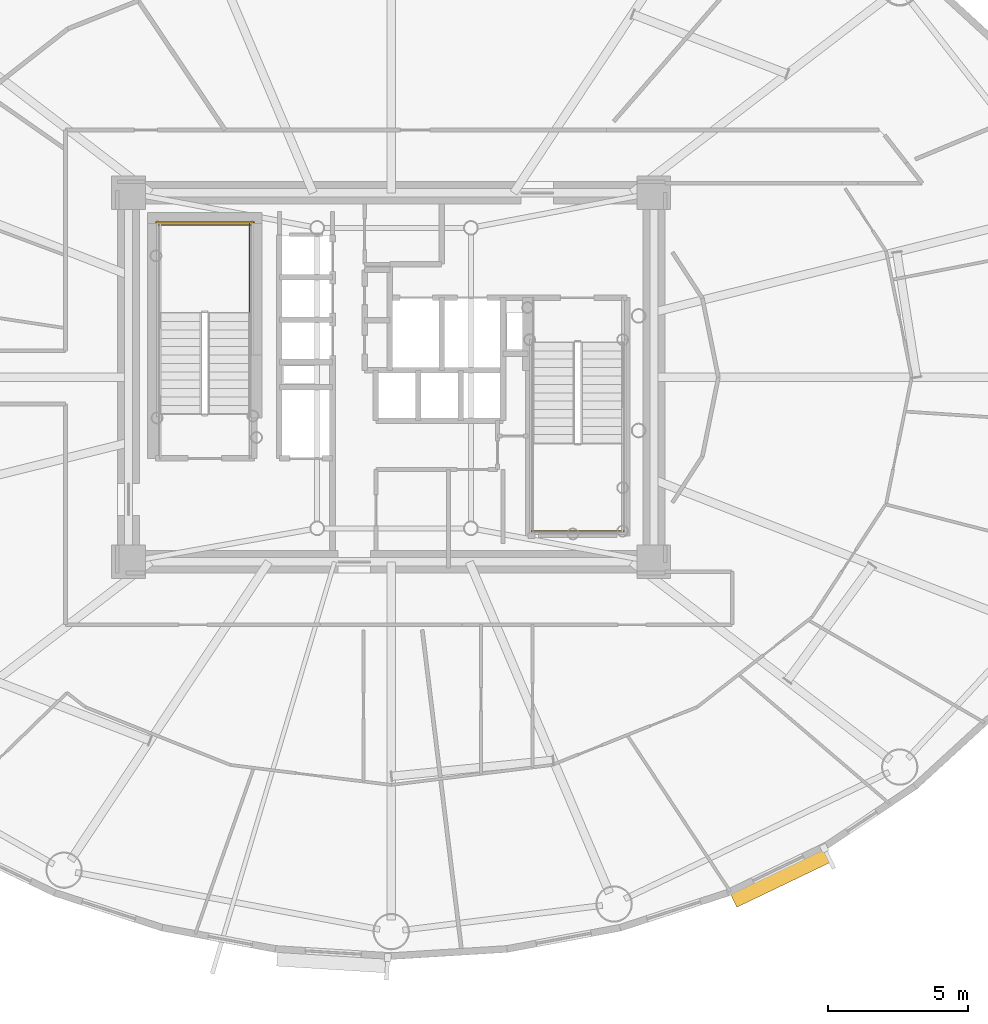
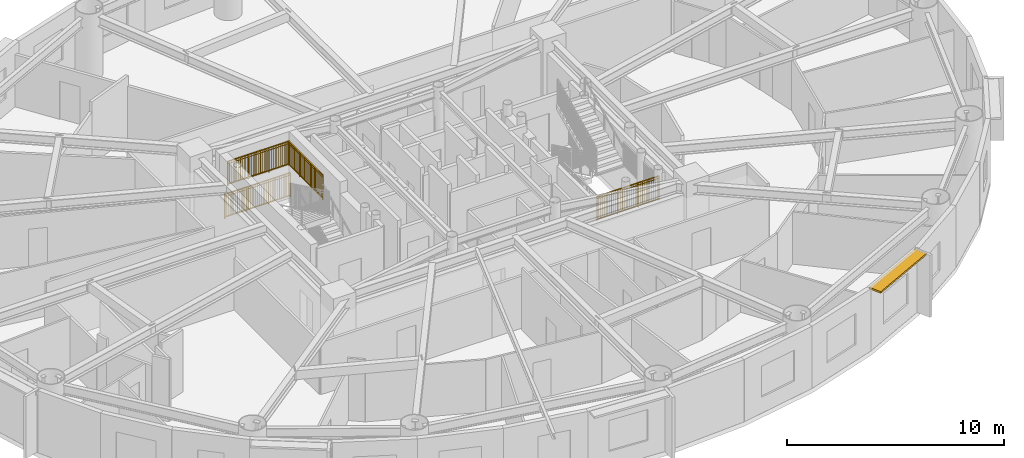
# One storey, part 19 of 21: 4 railings, 1 shading device.
"""IFC4 building model written with IfcOpenShell, lengths in metres."""

from ifc_helpers import new_model, si_unit, direction, frame, origin, origin_2d, place, context, subcontext, project, spatial, rectangle, extrude, source, transform, mapped, material, layer, layer_set, type_object, element, save


model = new_model("IFC4")

# Units and contexts
model_context = context("Model", 3, precision=1e-05, world=origin(), true_north=direction((0.0, 1.0)))
body_context = subcontext(model_context, "Body", "Model", "MODEL_VIEW")
ifc_project = project(units=[si_unit("LENGTHUNIT", "METRE"), si_unit("AREAUNIT", "SQUARE_METRE"), si_unit("VOLUMEUNIT", "CUBIC_METRE"), si_unit("PLANEANGLEUNIT", "RADIAN"), si_unit("MASSUNIT", "GRAM", prefix="KILO")], contexts=[model_context])

# Site, building, storey
site_placement = place(None, origin())
site = spatial("IfcSite", under=ifc_project, at=site_placement, CompositionType="ELEMENT")
building_placement = place(site_placement, origin())
building = spatial("IfcBuilding", under=site, at=building_placement, Name="Linh Dai School and Residence Tower", CompositionType="ELEMENT")
storey_placement = place(building_placement, frame((0.0, 0.0, 171.14990234375)))
storey = spatial("IfcBuildingStorey", under=building, at=storey_placement, Name="L41", CompositionType="ELEMENT", Elevation=171.14990234375)

# Shading device
ifc_material_1 = material(Name="Terracotta Ceramic Sunshade", Category="masonry")
ifc_layer = layer(ifc_material_1, 0.10009765625)
ifc_layer_set = layer_set([ifc_layer], Name="Terracotta Ceramic Sunshade")
shading_device_type = type_object("IfcShadingDeviceType", Name="SHD-TC-650", PredefinedType="USERDEFINED", material=ifc_layer_set)
shared_shape_1 = source(origin(), body_context, "Body", "SweptSolid", [
    extrude(rectangle(XDim=3.773193359375, YDim=0.64990234375, at=origin_2d()), origin(), (0.0, 0.0, 1.0), 0.10009765625),
])
shading_device_placement = place(storey_placement, frame((49.9248046875, 9.149658203125, 3.380126953125), z_axis=(0.0, 0.0, 1.0), x_axis=(-0.901569306779, -0.432634701653, 0.0)))
element("IfcShadingDevice", 1, at=shading_device_placement, inside=storey, type_object=shading_device_type, Name="L41 Terracotta Horizontal Sunshade Band 34", ObjectType="SUNSHADE", PredefinedType="USERDEFINED", context=body_context, shape_type="MappedRepresentation", body=[
    mapped(shared_shape_1, transform((0.0, 0.0, 0.0), x_axis=(1.0, 0.0, 0.0), y_axis=(0.0, 1.0, 0.0), z_axis=(0.0, 0.0, 1.0), scale=1.0)),
])

# Railings
ifc_material_2 = material(Name="Structural Steel S355JR", Category="steel")
railing_type = type_object("IfcRailingType", Name="RL-ST-GUARD-1400", PredefinedType="GUARDRAIL", material=ifc_material_2)
shared_shape_2 = source(origin(), body_context, "Body", "SweptSolid", [
    extrude(rectangle(XDim=0.048095703125, YDim=0.048095703125, at=origin_2d()), frame((0.0, 0.0, 1.3759765625), z_axis=(-1.0, 0.0, 0.0), x_axis=(0.0, -1.0, 0.0)), (0.0, 0.0, 1.0), 3.300048828125),
    extrude(rectangle(XDim=0.048095703125, YDim=0.048095703125, at=origin_2d()), frame((0.0, 0.0, 0.10009765625), z_axis=(-1.0, 0.0, 0.0), x_axis=(0.0, -1.0, 0.0)), (0.0, 0.0, 1.0), 3.300048828125),
    extrude(rectangle(XDim=0.030029296875, YDim=0.030029296875, at=origin_2d()), frame((0.0, 0.0, 1.239990234375), z_axis=(-1.0, 0.0, 0.0), x_axis=(0.0, -1.0, 0.0)), (0.0, 0.0, 1.0), 3.300048828125),
    extrude(rectangle(XDim=0.02001953125, YDim=0.02001953125, at=origin_2d()), frame((-0.09716796875, 0.0, 0.10009765625)), (0.0, 0.0, 1.0), 1.251708984375),
    extrude(rectangle(XDim=0.02001953125, YDim=0.02001953125, at=origin_2d()), frame((-0.194091796875, 0.0, 0.10009765625)), (0.0, 0.0, 1.0), 1.251708984375),
    extrude(rectangle(XDim=0.02001953125, YDim=0.02001953125, at=origin_2d()), frame((-0.291259765625, 0.0, 0.10009765625)), (0.0, 0.0, 1.0), 1.251708984375),
    extrude(rectangle(XDim=0.02001953125, YDim=0.02001953125, at=origin_2d()), frame((-0.38818359375, 0.0, 0.10009765625)), (0.0, 0.0, 1.0), 1.251708984375),
    extrude(rectangle(XDim=0.02001953125, YDim=0.02001953125, at=origin_2d()), frame((-0.4853515625, 0.0, 0.10009765625)), (0.0, 0.0, 1.0), 1.251708984375),
    extrude(rectangle(XDim=0.02001953125, YDim=0.02001953125, at=origin_2d()), frame((-0.582275390625, 0.0, 0.10009765625)), (0.0, 0.0, 1.0), 1.251708984375),
    extrude(rectangle(XDim=0.02001953125, YDim=0.02001953125, at=origin_2d()), frame((-0.679443359375, 0.0, 0.10009765625)), (0.0, 0.0, 1.0), 1.251708984375),
    extrude(rectangle(XDim=0.02001953125, YDim=0.02001953125, at=origin_2d()), frame((-0.7763671875, 0.0, 0.10009765625)), (0.0, 0.0, 1.0), 1.251708984375),
    extrude(rectangle(XDim=0.02001953125, YDim=0.02001953125, at=origin_2d()), frame((-0.87353515625, 0.0, 0.10009765625)), (0.0, 0.0, 1.0), 1.251708984375),
    extrude(rectangle(XDim=0.02001953125, YDim=0.02001953125, at=origin_2d()), frame((-0.970703125, 0.0, 0.10009765625)), (0.0, 0.0, 1.0), 1.251708984375),
    extrude(rectangle(XDim=0.02001953125, YDim=0.02001953125, at=origin_2d()), frame((-1.164794921875, 0.0, 0.10009765625)), (0.0, 0.0, 1.0), 1.251708984375),
    extrude(rectangle(XDim=0.02001953125, YDim=0.02001953125, at=origin_2d()), frame((-1.26171875, 0.0, 0.10009765625)), (0.0, 0.0, 1.0), 1.251708984375),
    extrude(rectangle(XDim=0.02001953125, YDim=0.02001953125, at=origin_2d()), frame((-1.35888671875, 0.0, 0.10009765625)), (0.0, 0.0, 1.0), 1.251708984375),
    extrude(rectangle(XDim=0.02001953125, YDim=0.02001953125, at=origin_2d()), frame((-1.455810546875, 0.0, 0.10009765625)), (0.0, 0.0, 1.0), 1.251708984375),
    extrude(rectangle(XDim=0.02001953125, YDim=0.02001953125, at=origin_2d()), frame((-1.552978515625, 0.0, 0.10009765625)), (0.0, 0.0, 1.0), 1.251708984375),
    extrude(rectangle(XDim=0.02001953125, YDim=0.02001953125, at=origin_2d()), frame((-1.64990234375, 0.0, 0.10009765625)), (0.0, 0.0, 1.0), 1.251708984375),
    extrude(rectangle(XDim=0.02001953125, YDim=0.02001953125, at=origin_2d()), frame((-1.7470703125, 0.0, 0.10009765625)), (0.0, 0.0, 1.0), 1.251708984375),
    extrude(rectangle(XDim=0.02001953125, YDim=0.02001953125, at=origin_2d()), frame((-1.84423828125, 0.0, 0.10009765625)), (0.0, 0.0, 1.0), 1.251708984375),
    extrude(rectangle(XDim=0.02001953125, YDim=0.02001953125, at=origin_2d()), frame((-1.941162109375, 0.0, 0.10009765625)), (0.0, 0.0, 1.0), 1.251708984375),
    extrude(rectangle(XDim=0.02001953125, YDim=0.02001953125, at=origin_2d()), frame((-2.038330078125, 0.0, 0.10009765625)), (0.0, 0.0, 1.0), 1.251708984375),
    extrude(rectangle(XDim=0.02001953125, YDim=0.02001953125, at=origin_2d()), frame((-2.13525390625, 0.0, 0.10009765625)), (0.0, 0.0, 1.0), 1.251708984375),
    extrude(rectangle(XDim=0.02001953125, YDim=0.02001953125, at=origin_2d()), frame((-2.329345703125, 0.0, 0.10009765625)), (0.0, 0.0, 1.0), 1.251708984375),
    extrude(rectangle(XDim=0.02001953125, YDim=0.02001953125, at=origin_2d()), frame((-2.426513671875, 0.0, 0.10009765625)), (0.0, 0.0, 1.0), 1.251708984375),
    extrude(rectangle(XDim=0.02001953125, YDim=0.02001953125, at=origin_2d()), frame((-2.523681640625, 0.0, 0.10009765625)), (0.0, 0.0, 1.0), 1.251708984375),
    extrude(rectangle(XDim=0.02001953125, YDim=0.02001953125, at=origin_2d()), frame((-2.62060546875, 0.0, 0.10009765625)), (0.0, 0.0, 1.0), 1.251708984375),
    extrude(rectangle(XDim=0.02001953125, YDim=0.02001953125, at=origin_2d()), frame((-2.7177734375, 0.0, 0.10009765625)), (0.0, 0.0, 1.0), 1.251708984375),
    extrude(rectangle(XDim=0.02001953125, YDim=0.02001953125, at=origin_2d()), frame((-2.814697265625, 0.0, 0.10009765625)), (0.0, 0.0, 1.0), 1.251708984375),
    extrude(rectangle(XDim=0.02001953125, YDim=0.02001953125, at=origin_2d()), frame((-2.911865234375, 0.0, 0.10009765625)), (0.0, 0.0, 1.0), 1.251708984375),
    extrude(rectangle(XDim=0.02001953125, YDim=0.02001953125, at=origin_2d()), frame((-3.0087890625, 0.0, 0.10009765625)), (0.0, 0.0, 1.0), 1.251708984375),
    extrude(rectangle(XDim=0.02001953125, YDim=0.02001953125, at=origin_2d()), frame((-3.10595703125, 0.0, 0.10009765625)), (0.0, 0.0, 1.0), 1.251708984375),
    extrude(rectangle(XDim=0.02001953125, YDim=0.02001953125, at=origin_2d()), frame((-3.202880859375, 0.0, 0.10009765625)), (0.0, 0.0, 1.0), 1.251708984375),
    extrude(rectangle(XDim=0.0419921875, YDim=0.0419921875, at=origin_2d()), origin(), (0.0, 0.0, 1.0), 1.3759765625),
    extrude(rectangle(XDim=0.0419921875, YDim=0.0419921875, at=origin_2d()), frame((-1.10009765625, 0.0, 0.0)), (0.0, 0.0, 1.0), 1.3759765625),
    extrude(rectangle(XDim=0.0419921875, YDim=0.0419921875, at=origin_2d()), frame((-2.199951171875, 0.0, 0.0)), (0.0, 0.0, 1.0), 1.3759765625),
    extrude(rectangle(XDim=0.0419921875, YDim=0.0419921875, at=origin_2d()), frame((-3.300048828125, 0.0, 0.0)), (0.0, 0.0, 1.0), 1.3759765625),
])
railing_1_placement = place(storey_placement, frame((30.97998046875, 32.449951171875, 1.875)))
element("IfcRailing", 2, at=railing_1_placement, inside=storey, type_object=railing_type, Name="L41 ST1 stair guard 5", PredefinedType="GUARDRAIL", context=body_context, shape_type="MappedRepresentation", body=[
    mapped(shared_shape_2, transform((0.0, 0.0, 0.0), x_axis=(1.0, 0.0, 0.0), y_axis=(0.0, 1.0, 0.0), z_axis=(0.0, 0.0, 1.0), scale=1.0)),
])
shared_shape_3 = source(origin(), body_context, "Body", "SweptSolid", [
    extrude(rectangle(XDim=0.048095703125, YDim=0.048095703125, at=origin_2d()), frame((0.0, 0.0, 1.3759765625), z_axis=(-1.0, 0.0, 0.0), x_axis=(0.0, -1.0, 0.0)), (0.0, 0.0, 1.0), 3.5),
    extrude(rectangle(XDim=0.048095703125, YDim=0.048095703125, at=origin_2d()), frame((0.0, 0.0, 0.10009765625), z_axis=(-1.0, 0.0, 0.0), x_axis=(0.0, -1.0, 0.0)), (0.0, 0.0, 1.0), 3.5),
    extrude(rectangle(XDim=0.030029296875, YDim=0.030029296875, at=origin_2d()), frame((0.0, 0.0, 1.239990234375), z_axis=(-1.0, 0.0, 0.0), x_axis=(0.0, -1.0, 0.0)), (0.0, 0.0, 1.0), 3.5),
    extrude(rectangle(XDim=0.02001953125, YDim=0.02001953125, at=origin_2d()), frame((-0.09716796875, 0.0, 0.10009765625)), (0.0, 0.0, 1.0), 1.251708984375),
    extrude(rectangle(XDim=0.02001953125, YDim=0.02001953125, at=origin_2d()), frame((-0.1943359375, 0.0, 0.10009765625)), (0.0, 0.0, 1.0), 1.251708984375),
    extrude(rectangle(XDim=0.02001953125, YDim=0.02001953125, at=origin_2d()), frame((-0.291748046875, 0.0, 0.10009765625)), (0.0, 0.0, 1.0), 1.251708984375),
    extrude(rectangle(XDim=0.02001953125, YDim=0.02001953125, at=origin_2d()), frame((-0.388916015625, 0.0, 0.10009765625)), (0.0, 0.0, 1.0), 1.251708984375),
    extrude(rectangle(XDim=0.02001953125, YDim=0.02001953125, at=origin_2d()), frame((-0.486083984375, 0.0, 0.10009765625)), (0.0, 0.0, 1.0), 1.251708984375),
    extrude(rectangle(XDim=0.02001953125, YDim=0.02001953125, at=origin_2d()), frame((-0.583251953125, 0.0, 0.10009765625)), (0.0, 0.0, 1.0), 1.251708984375),
    extrude(rectangle(XDim=0.02001953125, YDim=0.02001953125, at=origin_2d()), frame((-0.6806640625, 0.0, 0.10009765625)), (0.0, 0.0, 1.0), 1.251708984375),
    extrude(rectangle(XDim=0.02001953125, YDim=0.02001953125, at=origin_2d()), frame((-0.77783203125, 0.0, 0.10009765625)), (0.0, 0.0, 1.0), 1.251708984375),
    extrude(rectangle(XDim=0.02001953125, YDim=0.02001953125, at=origin_2d()), frame((-0.875, 0.0, 0.10009765625)), (0.0, 0.0, 1.0), 1.251708984375),
    extrude(rectangle(XDim=0.02001953125, YDim=0.02001953125, at=origin_2d()), frame((-0.97216796875, 0.0, 0.10009765625)), (0.0, 0.0, 1.0), 1.251708984375),
    extrude(rectangle(XDim=0.02001953125, YDim=0.02001953125, at=origin_2d()), frame((-1.0693359375, 0.0, 0.10009765625)), (0.0, 0.0, 1.0), 1.251708984375),
    extrude(rectangle(XDim=0.02001953125, YDim=0.02001953125, at=origin_2d()), frame((-1.263916015625, 0.0, 0.10009765625)), (0.0, 0.0, 1.0), 1.251708984375),
    extrude(rectangle(XDim=0.02001953125, YDim=0.02001953125, at=origin_2d()), frame((-1.361083984375, 0.0, 0.10009765625)), (0.0, 0.0, 1.0), 1.251708984375),
    extrude(rectangle(XDim=0.02001953125, YDim=0.02001953125, at=origin_2d()), frame((-1.458251953125, 0.0, 0.10009765625)), (0.0, 0.0, 1.0), 1.251708984375),
    extrude(rectangle(XDim=0.02001953125, YDim=0.02001953125, at=origin_2d()), frame((-1.5556640625, 0.0, 0.10009765625)), (0.0, 0.0, 1.0), 1.251708984375),
    extrude(rectangle(XDim=0.02001953125, YDim=0.02001953125, at=origin_2d()), frame((-1.65283203125, 0.0, 0.10009765625)), (0.0, 0.0, 1.0), 1.251708984375),
    extrude(rectangle(XDim=0.02001953125, YDim=0.02001953125, at=origin_2d()), frame((-1.75, 0.0, 0.10009765625)), (0.0, 0.0, 1.0), 1.251708984375),
    extrude(rectangle(XDim=0.02001953125, YDim=0.02001953125, at=origin_2d()), frame((-1.84716796875, 0.0, 0.10009765625)), (0.0, 0.0, 1.0), 1.251708984375),
    extrude(rectangle(XDim=0.02001953125, YDim=0.02001953125, at=origin_2d()), frame((-1.9443359375, 0.0, 0.10009765625)), (0.0, 0.0, 1.0), 1.251708984375),
    extrude(rectangle(XDim=0.02001953125, YDim=0.02001953125, at=origin_2d()), frame((-2.041748046875, 0.0, 0.10009765625)), (0.0, 0.0, 1.0), 1.251708984375),
    extrude(rectangle(XDim=0.02001953125, YDim=0.02001953125, at=origin_2d()), frame((-2.138916015625, 0.0, 0.10009765625)), (0.0, 0.0, 1.0), 1.251708984375),
    extrude(rectangle(XDim=0.02001953125, YDim=0.02001953125, at=origin_2d()), frame((-2.236083984375, 0.0, 0.10009765625)), (0.0, 0.0, 1.0), 1.251708984375),
    extrude(rectangle(XDim=0.02001953125, YDim=0.02001953125, at=origin_2d()), frame((-2.4306640625, 0.0, 0.10009765625)), (0.0, 0.0, 1.0), 1.251708984375),
    extrude(rectangle(XDim=0.02001953125, YDim=0.02001953125, at=origin_2d()), frame((-2.52783203125, 0.0, 0.10009765625)), (0.0, 0.0, 1.0), 1.251708984375),
    extrude(rectangle(XDim=0.02001953125, YDim=0.02001953125, at=origin_2d()), frame((-2.625, 0.0, 0.10009765625)), (0.0, 0.0, 1.0), 1.251708984375),
    extrude(rectangle(XDim=0.02001953125, YDim=0.02001953125, at=origin_2d()), frame((-2.72216796875, 0.0, 0.10009765625)), (0.0, 0.0, 1.0), 1.251708984375),
    extrude(rectangle(XDim=0.02001953125, YDim=0.02001953125, at=origin_2d()), frame((-2.8193359375, 0.0, 0.10009765625)), (0.0, 0.0, 1.0), 1.251708984375),
    extrude(rectangle(XDim=0.02001953125, YDim=0.02001953125, at=origin_2d()), frame((-2.916748046875, 0.0, 0.10009765625)), (0.0, 0.0, 1.0), 1.251708984375),
    extrude(rectangle(XDim=0.02001953125, YDim=0.02001953125, at=origin_2d()), frame((-3.013916015625, 0.0, 0.10009765625)), (0.0, 0.0, 1.0), 1.251708984375),
    extrude(rectangle(XDim=0.02001953125, YDim=0.02001953125, at=origin_2d()), frame((-3.111083984375, 0.0, 0.10009765625)), (0.0, 0.0, 1.0), 1.251708984375),
    extrude(rectangle(XDim=0.02001953125, YDim=0.02001953125, at=origin_2d()), frame((-3.208251953125, 0.0, 0.10009765625)), (0.0, 0.0, 1.0), 1.251708984375),
    extrude(rectangle(XDim=0.02001953125, YDim=0.02001953125, at=origin_2d()), frame((-3.3056640625, 0.0, 0.10009765625)), (0.0, 0.0, 1.0), 1.251708984375),
    extrude(rectangle(XDim=0.02001953125, YDim=0.02001953125, at=origin_2d()), frame((-3.40283203125, 0.0, 0.10009765625)), (0.0, 0.0, 1.0), 1.251708984375),
    extrude(rectangle(XDim=0.0419921875, YDim=0.0419921875, at=origin_2d()), origin(), (0.0, 0.0, 1.0), 1.3759765625),
    extrude(rectangle(XDim=0.0419921875, YDim=0.0419921875, at=origin_2d()), frame((-1.166748046875, 0.0, 0.0)), (0.0, 0.0, 1.0), 1.3759765625),
    extrude(rectangle(XDim=0.0419921875, YDim=0.0419921875, at=origin_2d()), frame((-2.333251953125, 0.0, 0.0)), (0.0, 0.0, 1.0), 1.3759765625),
    extrude(rectangle(XDim=0.0419921875, YDim=0.0419921875, at=origin_2d()), frame((-3.5, 0.0, 0.0)), (0.0, 0.0, 1.0), 1.3759765625),
])
railing_2_placement = place(storey_placement, frame((31.080078125, 32.550048828125, 0.0)))
element("IfcRailing", 3, at=railing_2_placement, inside=storey, type_object=railing_type, Name="L41 ST1 stair guard 12", PredefinedType="GUARDRAIL", context=body_context, shape_type="MappedRepresentation", body=[
    mapped(shared_shape_3, transform((0.0, 0.0, 0.0), x_axis=(1.0, 0.0, 0.0), y_axis=(0.0, 1.0, 0.0), z_axis=(0.0, 0.0, 1.0), scale=1.0)),
])
shared_shape_4 = source(origin(), body_context, "Body", "SweptSolid", [
    extrude(rectangle(XDim=0.048095703125, YDim=0.048095703125, at=origin_2d()), frame((0.0, 0.0, 1.3759765625), z_axis=(0.0, 1.0, 0.0), x_axis=(-1.0, 0.0, 0.0)), (0.0, 0.0, 1.0), 3.199951171875),
    extrude(rectangle(XDim=0.048095703125, YDim=0.048095703125, at=origin_2d()), frame((0.0, 0.0, 0.10009765625), z_axis=(0.0, 1.0, 0.0), x_axis=(-1.0, 0.0, 0.0)), (0.0, 0.0, 1.0), 3.199951171875),
    extrude(rectangle(XDim=0.030029296875, YDim=0.030029296875, at=origin_2d()), frame((0.0, 0.0, 1.239990234375), z_axis=(0.0, 1.0, 0.0), x_axis=(-1.0, 0.0, 0.0)), (0.0, 0.0, 1.0), 3.199951171875),
    extrude(rectangle(XDim=0.02001953125, YDim=0.02001953125, at=origin_2d()), frame((0.0, 0.096923828125, 0.10009765625)), (0.0, 0.0, 1.0), 1.251708984375),
    extrude(rectangle(XDim=0.02001953125, YDim=0.02001953125, at=origin_2d()), frame((0.0, 0.19384765625, 0.10009765625)), (0.0, 0.0, 1.0), 1.251708984375),
    extrude(rectangle(XDim=0.02001953125, YDim=0.02001953125, at=origin_2d()), frame((0.0, 0.291015625, 0.10009765625)), (0.0, 0.0, 1.0), 1.251708984375),
    extrude(rectangle(XDim=0.02001953125, YDim=0.02001953125, at=origin_2d()), frame((0.0, 0.387939453125, 0.10009765625)), (0.0, 0.0, 1.0), 1.251708984375),
    extrude(rectangle(XDim=0.02001953125, YDim=0.02001953125, at=origin_2d()), frame((0.0, 0.48486328125, 0.10009765625)), (0.0, 0.0, 1.0), 1.251708984375),
    extrude(rectangle(XDim=0.02001953125, YDim=0.02001953125, at=origin_2d()), frame((0.0, 0.581787109375, 0.10009765625)), (0.0, 0.0, 1.0), 1.251708984375),
    extrude(rectangle(XDim=0.02001953125, YDim=0.02001953125, at=origin_2d()), frame((0.0, 0.6787109375, 0.10009765625)), (0.0, 0.0, 1.0), 1.251708984375),
    extrude(rectangle(XDim=0.02001953125, YDim=0.02001953125, at=origin_2d()), frame((0.0, 0.775634765625, 0.10009765625)), (0.0, 0.0, 1.0), 1.251708984375),
    extrude(rectangle(XDim=0.02001953125, YDim=0.02001953125, at=origin_2d()), frame((0.0, 0.872802734375, 0.10009765625)), (0.0, 0.0, 1.0), 1.251708984375),
    extrude(rectangle(XDim=0.02001953125, YDim=0.02001953125, at=origin_2d()), frame((0.0, 0.9697265625, 0.10009765625)), (0.0, 0.0, 1.0), 1.251708984375),
    extrude(rectangle(XDim=0.02001953125, YDim=0.02001953125, at=origin_2d()), frame((0.0, 1.16357421875, 0.10009765625)), (0.0, 0.0, 1.0), 1.251708984375),
    extrude(rectangle(XDim=0.02001953125, YDim=0.02001953125, at=origin_2d()), frame((0.0, 1.260498046875, 0.10009765625)), (0.0, 0.0, 1.0), 1.251708984375),
    extrude(rectangle(XDim=0.02001953125, YDim=0.02001953125, at=origin_2d()), frame((0.0, 1.357666015625, 0.10009765625)), (0.0, 0.0, 1.0), 1.251708984375),
    extrude(rectangle(XDim=0.02001953125, YDim=0.02001953125, at=origin_2d()), frame((0.0, 1.45458984375, 0.10009765625)), (0.0, 0.0, 1.0), 1.251708984375),
    extrude(rectangle(XDim=0.02001953125, YDim=0.02001953125, at=origin_2d()), frame((0.0, 1.551513671875, 0.10009765625)), (0.0, 0.0, 1.0), 1.251708984375),
    extrude(rectangle(XDim=0.02001953125, YDim=0.02001953125, at=origin_2d()), frame((0.0, 1.6484375, 0.10009765625)), (0.0, 0.0, 1.0), 1.251708984375),
    extrude(rectangle(XDim=0.02001953125, YDim=0.02001953125, at=origin_2d()), frame((0.0, 1.745361328125, 0.10009765625)), (0.0, 0.0, 1.0), 1.251708984375),
    extrude(rectangle(XDim=0.02001953125, YDim=0.02001953125, at=origin_2d()), frame((0.0, 1.84228515625, 0.10009765625)), (0.0, 0.0, 1.0), 1.251708984375),
    extrude(rectangle(XDim=0.02001953125, YDim=0.02001953125, at=origin_2d()), frame((0.0, 1.939453125, 0.10009765625)), (0.0, 0.0, 1.0), 1.251708984375),
    extrude(rectangle(XDim=0.02001953125, YDim=0.02001953125, at=origin_2d()), frame((0.0, 2.036376953125, 0.10009765625)), (0.0, 0.0, 1.0), 1.251708984375),
    extrude(rectangle(XDim=0.02001953125, YDim=0.02001953125, at=origin_2d()), frame((0.0, 2.230224609375, 0.10009765625)), (0.0, 0.0, 1.0), 1.251708984375),
    extrude(rectangle(XDim=0.02001953125, YDim=0.02001953125, at=origin_2d()), frame((0.0, 2.3271484375, 0.10009765625)), (0.0, 0.0, 1.0), 1.251708984375),
    extrude(rectangle(XDim=0.02001953125, YDim=0.02001953125, at=origin_2d()), frame((0.0, 2.42431640625, 0.10009765625)), (0.0, 0.0, 1.0), 1.251708984375),
    extrude(rectangle(XDim=0.02001953125, YDim=0.02001953125, at=origin_2d()), frame((0.0, 2.521240234375, 0.10009765625)), (0.0, 0.0, 1.0), 1.251708984375),
    extrude(rectangle(XDim=0.02001953125, YDim=0.02001953125, at=origin_2d()), frame((0.0, 2.6181640625, 0.10009765625)), (0.0, 0.0, 1.0), 1.251708984375),
    extrude(rectangle(XDim=0.02001953125, YDim=0.02001953125, at=origin_2d()), frame((0.0, 2.715087890625, 0.10009765625)), (0.0, 0.0, 1.0), 1.251708984375),
    extrude(rectangle(XDim=0.02001953125, YDim=0.02001953125, at=origin_2d()), frame((0.0, 2.81201171875, 0.10009765625)), (0.0, 0.0, 1.0), 1.251708984375),
    extrude(rectangle(XDim=0.02001953125, YDim=0.02001953125, at=origin_2d()), frame((0.0, 2.908935546875, 0.10009765625)), (0.0, 0.0, 1.0), 1.251708984375),
    extrude(rectangle(XDim=0.02001953125, YDim=0.02001953125, at=origin_2d()), frame((0.0, 3.006103515625, 0.10009765625)), (0.0, 0.0, 1.0), 1.251708984375),
    extrude(rectangle(XDim=0.02001953125, YDim=0.02001953125, at=origin_2d()), frame((0.0, 3.10302734375, 0.10009765625)), (0.0, 0.0, 1.0), 1.251708984375),
    extrude(rectangle(XDim=0.0419921875, YDim=0.0419921875, at=origin_2d()), origin(), (0.0, 0.0, 1.0), 1.3759765625),
    extrude(rectangle(XDim=0.0419921875, YDim=0.0419921875, at=origin_2d()), frame((0.0, 1.066650390625, 0.0)), (0.0, 0.0, 1.0), 1.3759765625),
    extrude(rectangle(XDim=0.0419921875, YDim=0.0419921875, at=origin_2d()), frame((0.0, 2.13330078125, 0.0)), (0.0, 0.0, 1.0), 1.3759765625),
    extrude(rectangle(XDim=0.0419921875, YDim=0.0419921875, at=origin_2d()), frame((0.0, 3.199951171875, 0.0)), (0.0, 0.0, 1.0), 1.3759765625),
])
railing_3_placement = place(storey_placement, frame((30.929931640625, 29.300048828125, 1.875)))
element("IfcRailing", 4, at=railing_3_placement, inside=storey, type_object=railing_type, Name="L41 ST1 stair guard 3", PredefinedType="GUARDRAIL", context=body_context, shape_type="MappedRepresentation", body=[
    mapped(shared_shape_4, transform((0.0, 0.0, 0.0), x_axis=(1.0, 0.0, 0.0), y_axis=(0.0, 1.0, 0.0), z_axis=(0.0, 0.0, 1.0), scale=1.0)),
])
shared_shape_5 = source(origin(), body_context, "Body", "SweptSolid", [
    extrude(rectangle(XDim=0.048095703125, YDim=0.048095703125, at=origin_2d()), frame((0.0, 0.0, 1.3759765625), z_axis=(1.0, 0.0, 0.0), x_axis=(0.0, 1.0, 0.0)), (0.0, 0.0, 1.0), 3.300048828125),
    extrude(rectangle(XDim=0.048095703125, YDim=0.048095703125, at=origin_2d()), frame((0.0, 0.0, 0.10009765625), z_axis=(1.0, 0.0, 0.0), x_axis=(0.0, 1.0, 0.0)), (0.0, 0.0, 1.0), 3.300048828125),
    extrude(rectangle(XDim=0.030029296875, YDim=0.030029296875, at=origin_2d()), frame((0.0, 0.0, 1.239990234375), z_axis=(1.0, 0.0, 0.0), x_axis=(0.0, 1.0, 0.0)), (0.0, 0.0, 1.0), 3.300048828125),
    extrude(rectangle(XDim=0.02001953125, YDim=0.02001953125, at=origin_2d()), frame((0.09716796875, 0.0, 0.10009765625)), (0.0, 0.0, 1.0), 1.251708984375),
    extrude(rectangle(XDim=0.02001953125, YDim=0.02001953125, at=origin_2d()), frame((0.194091796875, 0.0, 0.10009765625)), (0.0, 0.0, 1.0), 1.251708984375),
    extrude(rectangle(XDim=0.02001953125, YDim=0.02001953125, at=origin_2d()), frame((0.291259765625, 0.0, 0.10009765625)), (0.0, 0.0, 1.0), 1.251708984375),
    extrude(rectangle(XDim=0.02001953125, YDim=0.02001953125, at=origin_2d()), frame((0.38818359375, 0.0, 0.10009765625)), (0.0, 0.0, 1.0), 1.251708984375),
    extrude(rectangle(XDim=0.02001953125, YDim=0.02001953125, at=origin_2d()), frame((0.4853515625, 0.0, 0.10009765625)), (0.0, 0.0, 1.0), 1.251708984375),
    extrude(rectangle(XDim=0.02001953125, YDim=0.02001953125, at=origin_2d()), frame((0.582275390625, 0.0, 0.10009765625)), (0.0, 0.0, 1.0), 1.251708984375),
    extrude(rectangle(XDim=0.02001953125, YDim=0.02001953125, at=origin_2d()), frame((0.679443359375, 0.0, 0.10009765625)), (0.0, 0.0, 1.0), 1.251708984375),
    extrude(rectangle(XDim=0.02001953125, YDim=0.02001953125, at=origin_2d()), frame((0.7763671875, 0.0, 0.10009765625)), (0.0, 0.0, 1.0), 1.251708984375),
    extrude(rectangle(XDim=0.02001953125, YDim=0.02001953125, at=origin_2d()), frame((0.87353515625, 0.0, 0.10009765625)), (0.0, 0.0, 1.0), 1.251708984375),
    extrude(rectangle(XDim=0.02001953125, YDim=0.02001953125, at=origin_2d()), frame((0.970703125, 0.0, 0.10009765625)), (0.0, 0.0, 1.0), 1.251708984375),
    extrude(rectangle(XDim=0.02001953125, YDim=0.02001953125, at=origin_2d()), frame((1.164794921875, 0.0, 0.10009765625)), (0.0, 0.0, 1.0), 1.251708984375),
    extrude(rectangle(XDim=0.02001953125, YDim=0.02001953125, at=origin_2d()), frame((1.26171875, 0.0, 0.10009765625)), (0.0, 0.0, 1.0), 1.251708984375),
    extrude(rectangle(XDim=0.02001953125, YDim=0.02001953125, at=origin_2d()), frame((1.35888671875, 0.0, 0.10009765625)), (0.0, 0.0, 1.0), 1.251708984375),
    extrude(rectangle(XDim=0.02001953125, YDim=0.02001953125, at=origin_2d()), frame((1.455810546875, 0.0, 0.10009765625)), (0.0, 0.0, 1.0), 1.251708984375),
    extrude(rectangle(XDim=0.02001953125, YDim=0.02001953125, at=origin_2d()), frame((1.552978515625, 0.0, 0.10009765625)), (0.0, 0.0, 1.0), 1.251708984375),
    extrude(rectangle(XDim=0.02001953125, YDim=0.02001953125, at=origin_2d()), frame((1.64990234375, 0.0, 0.10009765625)), (0.0, 0.0, 1.0), 1.251708984375),
    extrude(rectangle(XDim=0.02001953125, YDim=0.02001953125, at=origin_2d()), frame((1.7470703125, 0.0, 0.10009765625)), (0.0, 0.0, 1.0), 1.251708984375),
    extrude(rectangle(XDim=0.02001953125, YDim=0.02001953125, at=origin_2d()), frame((1.84423828125, 0.0, 0.10009765625)), (0.0, 0.0, 1.0), 1.251708984375),
    extrude(rectangle(XDim=0.02001953125, YDim=0.02001953125, at=origin_2d()), frame((1.941162109375, 0.0, 0.10009765625)), (0.0, 0.0, 1.0), 1.251708984375),
    extrude(rectangle(XDim=0.02001953125, YDim=0.02001953125, at=origin_2d()), frame((2.038330078125, 0.0, 0.10009765625)), (0.0, 0.0, 1.0), 1.251708984375),
    extrude(rectangle(XDim=0.02001953125, YDim=0.02001953125, at=origin_2d()), frame((2.13525390625, 0.0, 0.10009765625)), (0.0, 0.0, 1.0), 1.251708984375),
    extrude(rectangle(XDim=0.02001953125, YDim=0.02001953125, at=origin_2d()), frame((2.329345703125, 0.0, 0.10009765625)), (0.0, 0.0, 1.0), 1.251708984375),
    extrude(rectangle(XDim=0.02001953125, YDim=0.02001953125, at=origin_2d()), frame((2.426513671875, 0.0, 0.10009765625)), (0.0, 0.0, 1.0), 1.251708984375),
    extrude(rectangle(XDim=0.02001953125, YDim=0.02001953125, at=origin_2d()), frame((2.523681640625, 0.0, 0.10009765625)), (0.0, 0.0, 1.0), 1.251708984375),
    extrude(rectangle(XDim=0.02001953125, YDim=0.02001953125, at=origin_2d()), frame((2.62060546875, 0.0, 0.10009765625)), (0.0, 0.0, 1.0), 1.251708984375),
    extrude(rectangle(XDim=0.02001953125, YDim=0.02001953125, at=origin_2d()), frame((2.7177734375, 0.0, 0.10009765625)), (0.0, 0.0, 1.0), 1.251708984375),
    extrude(rectangle(XDim=0.02001953125, YDim=0.02001953125, at=origin_2d()), frame((2.814697265625, 0.0, 0.10009765625)), (0.0, 0.0, 1.0), 1.251708984375),
    extrude(rectangle(XDim=0.02001953125, YDim=0.02001953125, at=origin_2d()), frame((2.911865234375, 0.0, 0.10009765625)), (0.0, 0.0, 1.0), 1.251708984375),
    extrude(rectangle(XDim=0.02001953125, YDim=0.02001953125, at=origin_2d()), frame((3.0087890625, 0.0, 0.10009765625)), (0.0, 0.0, 1.0), 1.251708984375),
    extrude(rectangle(XDim=0.02001953125, YDim=0.02001953125, at=origin_2d()), frame((3.10595703125, 0.0, 0.10009765625)), (0.0, 0.0, 1.0), 1.251708984375),
    extrude(rectangle(XDim=0.02001953125, YDim=0.02001953125, at=origin_2d()), frame((3.202880859375, 0.0, 0.10009765625)), (0.0, 0.0, 1.0), 1.251708984375),
    extrude(rectangle(XDim=0.0419921875, YDim=0.0419921875, at=origin_2d()), origin(), (0.0, 0.0, 1.0), 1.3759765625),
    extrude(rectangle(XDim=0.0419921875, YDim=0.0419921875, at=origin_2d()), frame((1.10009765625, 0.0, 0.0)), (0.0, 0.0, 1.0), 1.3759765625),
    extrude(rectangle(XDim=0.0419921875, YDim=0.0419921875, at=origin_2d()), frame((2.199951171875, 0.0, 0.0)), (0.0, 0.0, 1.0), 1.3759765625),
    extrude(rectangle(XDim=0.0419921875, YDim=0.0419921875, at=origin_2d()), frame((3.300048828125, 0.0, 0.0)), (0.0, 0.0, 1.0), 1.3759765625),
])
railing_4_placement = place(storey_placement, frame((41.02001953125, 21.5, 1.875)))
element("IfcRailing", 5, at=railing_4_placement, inside=storey, type_object=railing_type, Name="L41 ST2 stair guard 5", PredefinedType="GUARDRAIL", context=body_context, shape_type="MappedRepresentation", body=[
    mapped(shared_shape_5, transform((0.0, 0.0, 0.0), x_axis=(1.0, 0.0, 0.0), y_axis=(0.0, 1.0, 0.0), z_axis=(0.0, 0.0, 1.0), scale=1.0)),
])

save(model, "model.ifc")
